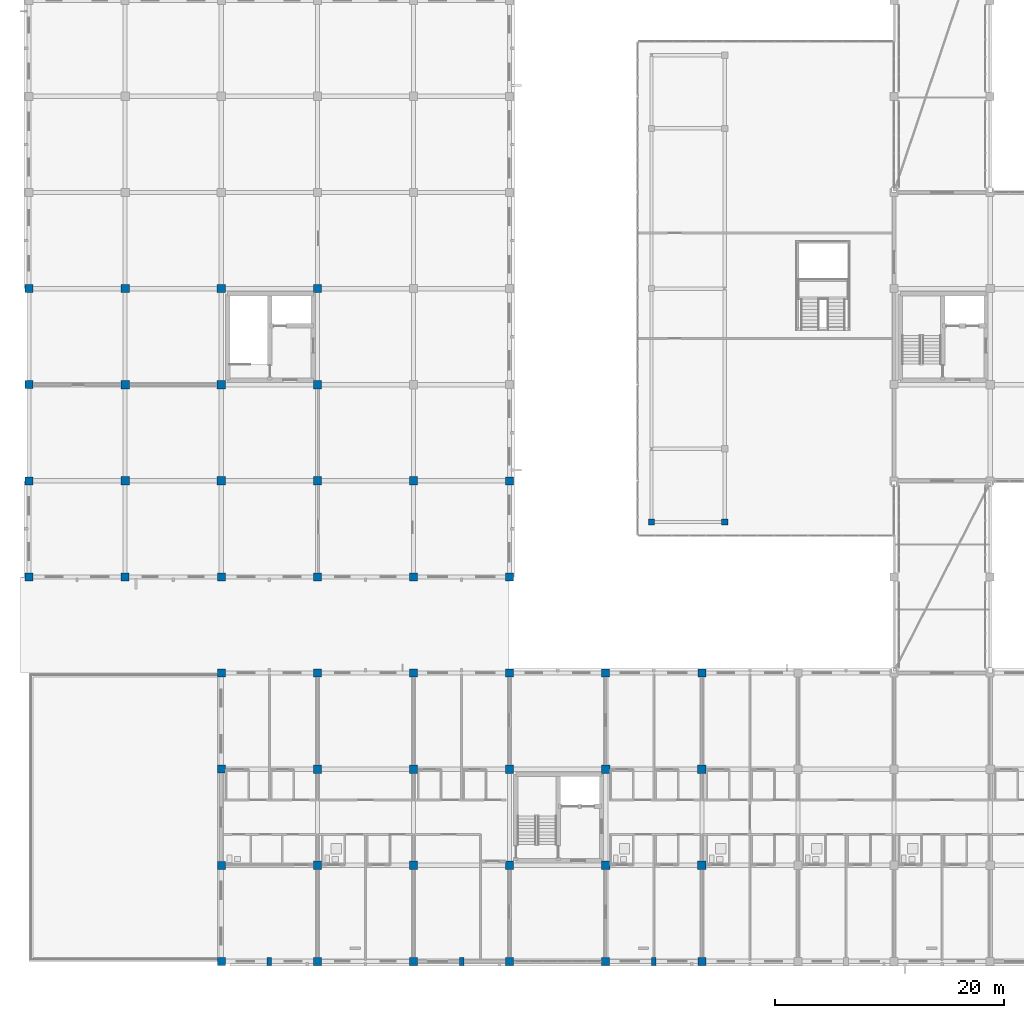
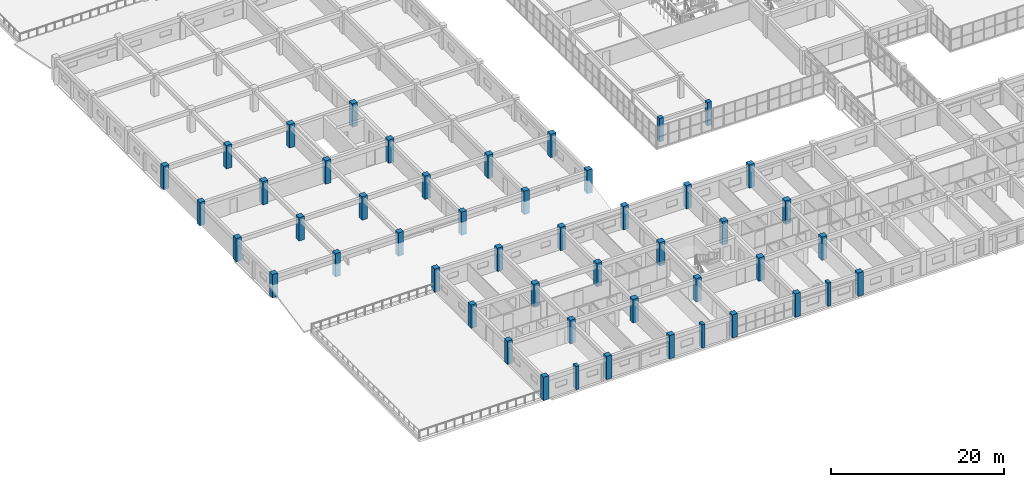
# One storey, part 1 of 148: 49 columns.
"""IFC4 building model written with IfcOpenShell, lengths in metres."""

from ifc_helpers import new_model, si_unit, direction, frame, origin, origin_2d, place, context, subcontext, project, spatial, rectangle, extrude, material, material_profile, profile_set, type_object, element, save


model = new_model("IFC4")

# Units and contexts
model_context = context("Model", 3, precision=1e-05, world=origin(), true_north=direction((0.0, 1.0)))
body_context = subcontext(model_context, "Body", "Model", "MODEL_VIEW")
ifc_project = project(units=[si_unit("LENGTHUNIT", "METRE"), si_unit("AREAUNIT", "SQUARE_METRE"), si_unit("VOLUMEUNIT", "CUBIC_METRE"), si_unit("PLANEANGLEUNIT", "RADIAN"), si_unit("MASSUNIT", "GRAM", prefix="KILO")], contexts=[model_context])

# Site, building, storey
site_placement = place(None, origin())
site = spatial("IfcSite", under=ifc_project, at=site_placement, CompositionType="ELEMENT")
building_placement = place(site_placement, origin())
building = spatial("IfcBuilding", under=site, at=building_placement, Name="Trelvath General Hospital", CompositionType="ELEMENT")
storey_placement = place(building_placement, frame((0.0, 0.0, 12.89990234375)))
storey = spatial("IfcBuildingStorey", under=building, at=storey_placement, Name="L03", CompositionType="ELEMENT", Elevation=12.89990234375)

# Columns
ifc_material_1 = material(Name="Concrete C40/50", Category="concrete")
ifc_material_profile_1 = material_profile(ifc_material_1, rectangle(XDim=0.550048828125, YDim=0.550048828125, at=origin_2d()), Name="RC550x550")
ifc_profile_set_1 = profile_set([ifc_material_profile_1], Name="Concrete C40/50")
column_type_1 = type_object("IfcColumnType", Name="Column RC550", PredefinedType="COLUMN", material=ifc_profile_set_1)
for number, where, z_axis, x_axis, name in (
    (1, (54.39990234375, 38.39990234375, 0.0), (0.0, 0.0, 1.0), (1.0, 0.0, 0.0), "Cube Interior Column CC-W11 L03"),
    (2, (60.800048828125, 38.39990234375, 0.0), (0.0, 0.0, 1.0), (1.0, 0.0, 0.0), "Cube Interior Column CC-W16 L03"),
):
    element("IfcColumn", number, at=place(storey_placement, frame(where, z_axis=z_axis, x_axis=x_axis)), inside=storey, type_object=column_type_1, Name=name, PredefinedType="COLUMN", context=body_context, shape_type="SweptSolid", body=[
        extrude(rectangle(XDim=0.550048828125, YDim=0.550048828125, at=origin_2d()), origin(), (0.0, 0.0, 1.0), 3.300048828125),
    ])
ifc_material_2 = material(Name="Concrete C40/50", Category="concrete")
ifc_material_profile_2 = material_profile(ifc_material_2, rectangle(XDim=0.699951171875, YDim=0.699951171875, at=origin_2d()), Name="RC700x700")
ifc_profile_set_2 = profile_set([ifc_material_profile_2], Name="Concrete C40/50")
column_type_2 = type_object("IfcColumnType", Name="Column RC700", PredefinedType="COLUMN", material=ifc_profile_set_2)
for number, where, z_axis, x_axis, name in (
    (3, (0.0, 33.60009765625, 0.0), (0.0, 0.0, 1.0), (1.0, 0.0, 0.0), "Column C-1E L03"),
    (4, (0.0, 42.0, 0.0), (0.0, 0.0, 1.0), (1.0, 0.0, 0.0), "Column C-1F L03"),
    (5, (0.0, 50.39990234375, 0.0), (0.0, 0.0, 1.0), (1.0, 0.0, 0.0), "Column C-1G L03"),
    (6, (0.0, 58.800048828125, 0.0), (0.0, 0.0, 1.0), (1.0, 0.0, 0.0), "Column C-1H L03"),
    (7, (8.39990234375, 33.60009765625, 0.0), (0.0, 0.0, 1.0), (1.0, 0.0, 0.0), "Column C-2E L03"),
    (8, (16.800048828125, 0.0, 0.0), (0.0, 0.0, 1.0), (1.0, 0.0, 0.0), "Column C-3A L03"),
    (9, (16.800048828125, 8.39990234375, 0.0), (0.0, 0.0, 1.0), (1.0, 0.0, 0.0), "Column C-3B L03"),
    (10, (16.800048828125, 16.800048828125, 0.0), (0.0, 0.0, 1.0), (1.0, 0.0, 0.0), "Column C-3C L03"),
    (11, (16.800048828125, 25.199951171875, 0.0), (0.0, 0.0, 1.0), (1.0, 0.0, 0.0), "Column C-3D L03"),
    (12, (16.800048828125, 33.60009765625, 0.0), (0.0, 0.0, 1.0), (1.0, 0.0, 0.0), "Column C-3E L03"),
    (13, (25.199951171875, 0.0, 0.0), (0.0, 0.0, 1.0), (1.0, 0.0, 0.0), "Column C-4A L03"),
    (14, (25.199951171875, 25.199951171875, 0.0), (0.0, 0.0, 1.0), (1.0, 0.0, 0.0), "Column C-4D L03"),
    (15, (25.199951171875, 33.60009765625, 0.0), (0.0, 0.0, 1.0), (1.0, 0.0, 0.0), "Column C-4E L03"),
    (16, (33.60009765625, 0.0, 0.0), (0.0, 0.0, 1.0), (1.0, 0.0, 0.0), "Column C-5A L03"),
    (17, (33.60009765625, 25.199951171875, 0.0), (0.0, 0.0, 1.0), (1.0, 0.0, 0.0), "Column C-5D L03"),
    (18, (33.60009765625, 33.60009765625, 0.0), (0.0, 0.0, 1.0), (1.0, 0.0, 0.0), "Column C-5E L03"),
    (19, (42.0, 0.0, 0.0), (0.0, 0.0, 1.0), (1.0, 0.0, 0.0), "Column C-6A L03"),
    (20, (42.0, 25.199951171875, 0.0), (0.0, 0.0, 1.0), (1.0, 0.0, 0.0), "Column C-6D L03"),
    (21, (42.0, 33.60009765625, 0.0), (0.0, 0.0, 1.0), (1.0, 0.0, 0.0), "Column C-6E L03"),
    (22, (42.0, 42.0, 0.0), (0.0, 0.0, 1.0), (1.0, 0.0, 0.0), "Column C-6F L03"),
    (23, (50.39990234375, 0.0, 0.0), (0.0, 0.0, 1.0), (1.0, 0.0, 0.0), "Column C-7A L03"),
    (24, (50.39990234375, 25.199951171875, 0.0), (0.0, 0.0, 1.0), (1.0, 0.0, 0.0), "Column C-7D L03"),
    (25, (58.800048828125, 0.0, 0.0), (0.0, 0.0, 1.0), (1.0, 0.0, 0.0), "Column C-8A L03"),
    (26, (58.800048828125, 25.199951171875, 0.0), (0.0, 0.0, 1.0), (1.0, 0.0, 0.0), "Column C-8D L03"),
):
    element("IfcColumn", number, at=place(storey_placement, frame(where, z_axis=z_axis, x_axis=x_axis)), inside=storey, type_object=column_type_2, Name=name, PredefinedType="COLUMN", context=body_context, shape_type="SweptSolid", body=[
        extrude(rectangle(XDim=0.699951171875, YDim=0.699951171875, at=origin_2d()), origin(), (0.0, 0.0, 1.0), 3.300048828125),
    ])
ifc_material_3 = material(Name="Concrete C40/50", Category="concrete")
ifc_material_profile_3 = material_profile(ifc_material_3, rectangle(XDim=0.719970703125, YDim=0.719970703125, at=origin_2d()), Name="RC720x720")
ifc_profile_set_3 = profile_set([ifc_material_profile_3], Name="Concrete C40/50")
column_type_3 = type_object("IfcColumnType", Name="Column RC720", PredefinedType="COLUMN", material=ifc_profile_set_3)
for number, where, z_axis, x_axis, name in (
    (27, (8.39990234375, 42.0, 0.0), (0.0, 0.0, 1.0), (1.0, 0.0, 0.0), "Column C-2F L03"),
    (28, (8.39990234375, 50.39990234375, 0.0), (0.0, 0.0, 1.0), (1.0, 0.0, 0.0), "Column C-2G L03"),
    (29, (8.39990234375, 58.800048828125, 0.0), (0.0, 0.0, 1.0), (1.0, 0.0, 0.0), "Column C-2H L03"),
    (30, (16.800048828125, 42.0, 0.0), (0.0, 0.0, 1.0), (1.0, 0.0, 0.0), "Column C-3F L03"),
    (31, (16.800048828125, 50.39990234375, 0.0), (0.0, 0.0, 1.0), (1.0, 0.0, 0.0), "Column C-3G L03"),
    (32, (16.800048828125, 58.800048828125, 0.0), (0.0, 0.0, 1.0), (1.0, 0.0, 0.0), "Column C-3H L03"),
    (33, (25.199951171875, 8.39990234375, 0.0), (0.0, 0.0, 1.0), (1.0, 0.0, 0.0), "Column C-4B L03"),
    (34, (25.199951171875, 16.800048828125, 0.0), (0.0, 0.0, 1.0), (1.0, 0.0, 0.0), "Column C-4C L03"),
    (35, (25.199951171875, 42.0, 0.0), (0.0, 0.0, 1.0), (1.0, 0.0, 0.0), "Column C-4F L03"),
    (36, (25.199951171875, 50.39990234375, 0.0), (0.0, 0.0, 1.0), (1.0, 0.0, 0.0), "Column C-4G L03"),
    (37, (25.199951171875, 58.800048828125, 0.0), (0.0, 0.0, 1.0), (1.0, 0.0, 0.0), "Column C-4H L03"),
    (38, (33.60009765625, 8.39990234375, 0.0), (0.0, 0.0, 1.0), (1.0, 0.0, 0.0), "Column C-5B L03"),
    (39, (33.60009765625, 16.800048828125, 0.0), (0.0, 0.0, 1.0), (1.0, 0.0, 0.0), "Column C-5C L03"),
    (40, (33.60009765625, 42.0, 0.0), (0.0, 0.0, 1.0), (1.0, 0.0, 0.0), "Column C-5F L03"),
    (41, (42.0, 8.39990234375, 0.0), (0.0, 0.0, 1.0), (1.0, 0.0, 0.0), "Column C-6B L03"),
    (42, (42.0, 16.800048828125, 0.0), (0.0, 0.0, 1.0), (1.0, 0.0, 0.0), "Column C-6C L03"),
    (43, (50.39990234375, 8.39990234375, 0.0), (0.0, 0.0, 1.0), (1.0, 0.0, 0.0), "Column C-7B L03"),
    (44, (50.39990234375, 16.800048828125, 0.0), (0.0, 0.0, 1.0), (1.0, 0.0, 0.0), "Column C-7C L03"),
    (45, (58.800048828125, 8.39990234375, 0.0), (0.0, 0.0, 1.0), (1.0, 0.0, 0.0), "Column C-8B L03"),
    (46, (58.800048828125, 16.800048828125, 0.0), (0.0, 0.0, 1.0), (1.0, 0.0, 0.0), "Column C-8C L03"),
):
    element("IfcColumn", number, at=place(storey_placement, frame(where, z_axis=z_axis, x_axis=x_axis)), inside=storey, type_object=column_type_3, Name=name, PredefinedType="COLUMN", context=body_context, shape_type="SweptSolid", body=[
        extrude(rectangle(XDim=0.719970703125, YDim=0.719970703125, at=origin_2d()), origin(), (0.0, 0.0, 1.0), 3.300048828125),
    ])
ifc_material_4 = material(Name="Concrete C40/50", Category="concrete")
ifc_material_profile_4 = material_profile(ifc_material_4, rectangle(XDim=0.39990234375, YDim=0.699951171875, at=origin_2d()), Name="RC400x700")
ifc_profile_set_4 = profile_set([ifc_material_profile_4], Name="Concrete C40/50")
column_type_4 = type_object("IfcColumnType", Name="Pilaster RC400x700", PredefinedType="PILASTER", material=ifc_profile_set_4)
for number, where, z_axis, x_axis, name in (
    (47, (21.0, 0.0, 0.0), (0.0, 0.0, 1.0), (1.0, 0.0, 0.0), "Facade Pilaster PL-S02 L03"),
    (48, (37.800048828125, 0.0, 0.0), (0.0, 0.0, 1.0), (1.0, 0.0, 0.0), "Facade Pilaster PL-S04 L03"),
    (49, (54.60009765625, 0.0, 0.0), (0.0, 0.0, 1.0), (1.0, 0.0, 0.0), "Facade Pilaster PL-S06 L03"),
):
    element("IfcColumn", number, at=place(storey_placement, frame(where, z_axis=z_axis, x_axis=x_axis)), inside=storey, type_object=column_type_4, Name=name, PredefinedType="PILASTER", context=body_context, shape_type="SweptSolid", body=[
        extrude(rectangle(XDim=0.39990234375, YDim=0.699951171875, at=origin_2d()), origin(), (0.0, 0.0, 1.0), 3.300048828125),
    ])

save(model, "model.ifc")
